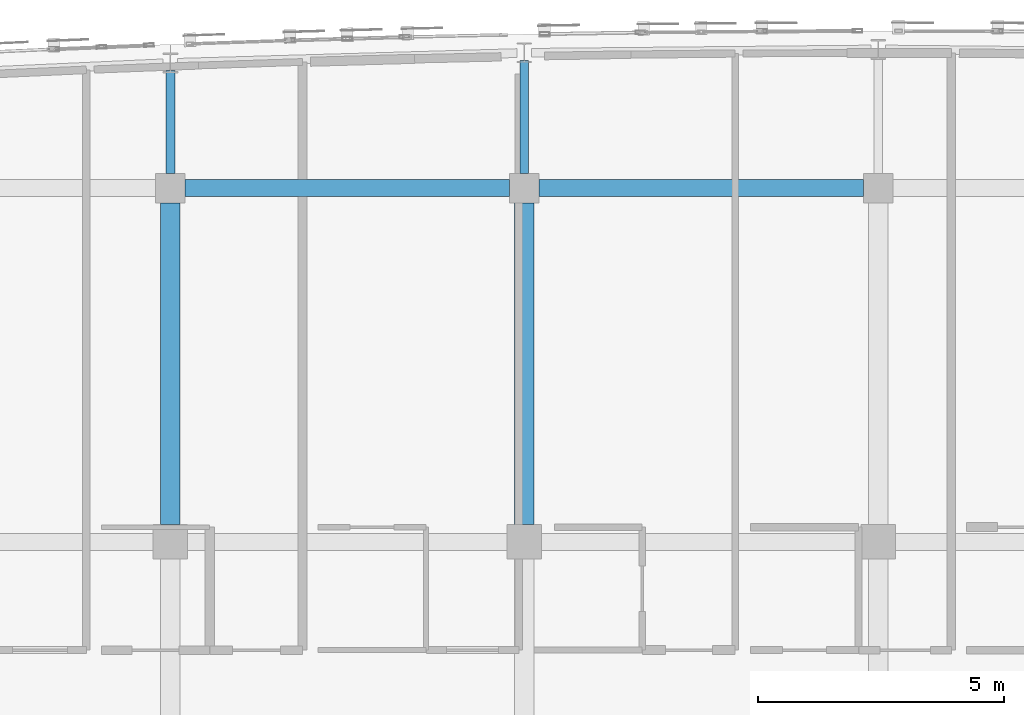
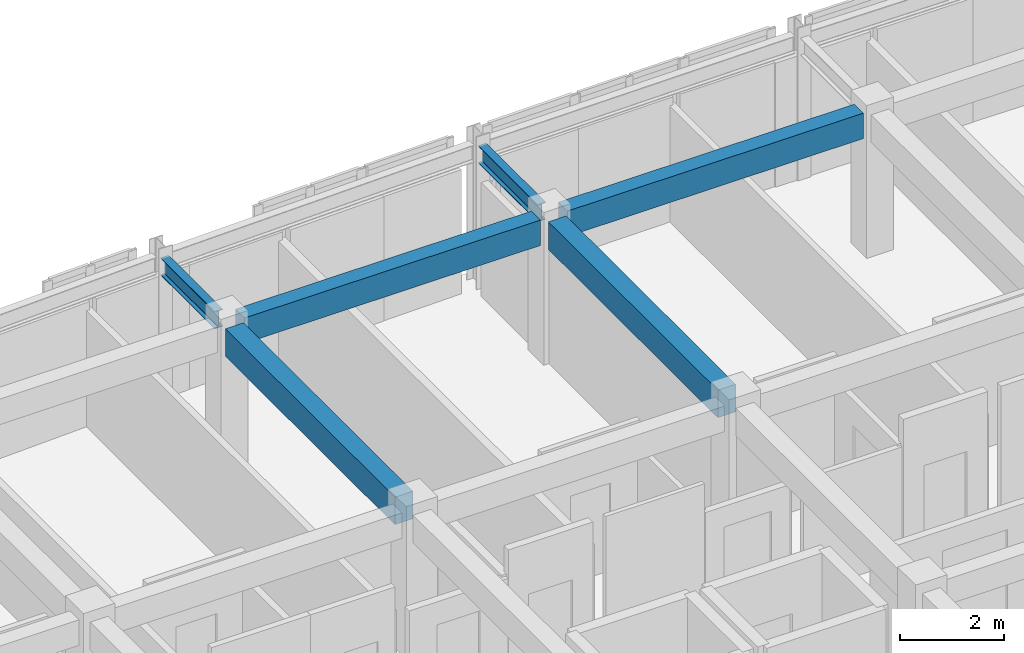
# One storey, part 14 of 48: 6 beams.
"""IFC4 building model written with IfcOpenShell, lengths in metres."""

from ifc_helpers import new_model, si_unit, direction, frame, origin, origin_2d, place, context, subcontext, project, spatial, rectangle, i_section, extrude, material, material_profile, profile_set, type_object, element, save


model = new_model("IFC4")

# Units and contexts
model_context = context("Model", 3, precision=1e-05, world=origin(), true_north=direction((0.0, 1.0)))
body_context = subcontext(model_context, "Body", "Model", "MODEL_VIEW")
ifc_project = project(units=[si_unit("LENGTHUNIT", "METRE"), si_unit("AREAUNIT", "SQUARE_METRE"), si_unit("VOLUMEUNIT", "CUBIC_METRE"), si_unit("PLANEANGLEUNIT", "RADIAN"), si_unit("MASSUNIT", "GRAM", prefix="KILO")], contexts=[model_context])

# Site, building, storey
site_placement = place(None, origin())
site = spatial("IfcSite", under=ifc_project, at=site_placement, CompositionType="ELEMENT")
building_placement = place(site_placement, origin())
building = spatial("IfcBuilding", under=site, at=building_placement, Name="Carrowvane Square Congress Hotel", CompositionType="ELEMENT")
storey_placement = place(building_placement, frame((0.0, 0.0, 26.39990234375)))
storey = spatial("IfcBuildingStorey", under=building, at=storey_placement, Name="L06", CompositionType="ELEMENT", Elevation=26.39990234375)

# Beams
ifc_material_1 = material(Name="Concrete C35/45", Category="concrete")
ifc_material_profile_1 = material_profile(ifc_material_1, rectangle(XDim=0.35009765625, YDim=0.60009765625, at=origin_2d()), Name="RC 350x600")
ifc_profile_set_1 = profile_set([ifc_material_profile_1], Name="Concrete C35/45")
beam_type_1 = type_object("IfcBeamType", Name="BM-RC-350x600", PredefinedType="BEAM", material=ifc_profile_set_1)
beam_1_placement = place(storey_placement, frame((83.89990234375, 113.39990234375, 3.050048828125), z_axis=(1.0, 0.0, 0.0), x_axis=(0.0, 1.0, 0.0)))
element("IfcBeam", 1, at=beam_1_placement, inside=storey, type_object=beam_type_1, Name="L07 girder R/11-12", PredefinedType="BEAM", context=body_context, shape_type="SweptSolid", body=[
    extrude(rectangle(XDim=0.35009765625, YDim=0.60009765625, at=origin_2d()), origin(), (0.0, 0.0, 1.0), 6.60009765625),
])
beam_2_placement = place(storey_placement, frame((91.10009765625, 113.39990234375, 3.050048828125), z_axis=(1.0, 0.0, 0.0), x_axis=(0.0, 1.0, 0.0)))
element("IfcBeam", 2, at=beam_2_placement, inside=storey, type_object=beam_type_1, Name="L07 girder R/12-13", PredefinedType="BEAM", context=body_context, shape_type="SweptSolid", body=[
    extrude(rectangle(XDim=0.35009765625, YDim=0.60009765625, at=origin_2d()), origin(), (0.0, 0.0, 1.0), 6.599853515625),
])
ifc_material_2 = material(Name="Concrete C35/45", Category="concrete")
ifc_material_profile_2 = material_profile(ifc_material_2, rectangle(XDim=0.39990234375, YDim=0.64990234375, at=origin_2d()), Name="RC 400x650")
ifc_profile_set_2 = profile_set([ifc_material_profile_2], Name="Concrete C35/45")
beam_type_2 = type_object("IfcBeamType", Name="BM-RC-400x650", PredefinedType="BEAM", material=ifc_profile_set_2)
for number, where, z_axis, x_axis, name in (
    (3, (83.60009765625, 106.550048828125, 3.025146484375), (0.0, 1.0, 0.0), (-1.0, 0.0, 0.0), "L07 girder 11/Q-R"),
    (4, (90.800048828125, 106.550048828125, 3.025146484375), (0.0, 1.0, 0.0), (-1.0, 0.0, 0.0), "L07 girder 12/Q-R"),
):
    element("IfcBeam", number, at=place(storey_placement, frame(where, z_axis=z_axis, x_axis=x_axis)), inside=storey, type_object=beam_type_2, Name=name, PredefinedType="BEAM", context=body_context, shape_type="SweptSolid", body=[
        extrude(rectangle(XDim=0.39990234375, YDim=0.64990234375, at=origin_2d()), origin(), (0.0, 0.0, 1.0), 6.550048828125),
    ])
ifc_material_3 = material(Name="Steel S355", Category="steel")
ifc_material_profile_3 = material_profile(ifc_material_3, i_section(OverallWidth=0.1787109375, OverallDepth=0.409423828125, WebThickness=0.0087890625, FlangeThickness=0.014404296875, FilletRadius=0.01025390625, at=origin_2d()), Name="UKB 406x178x67")
ifc_profile_set_3 = profile_set([ifc_material_profile_3], Name="Steel S355")
beam_type_3 = type_object("IfcBeamType", Name="BM-ST-UKB406", PredefinedType="BEAM", material=ifc_profile_set_3)
beam_3_placement = place(storey_placement, frame((83.60009765625, 113.699951171875, 3.1455078125), z_axis=(0.0, 1.0, 0.0), x_axis=(-1.0, 0.0, 0.0)))
element("IfcBeam", 5, at=beam_3_placement, inside=storey, type_object=beam_type_3, Name="L07 radial north beam 11", PredefinedType="BEAM", context=body_context, shape_type="SweptSolid", body=[
    extrude(i_section(OverallWidth=0.1787109375, OverallDepth=0.409423828125, WebThickness=0.0087890625, FlangeThickness=0.014404296875, FilletRadius=0.01025390625, at=origin_2d()), origin(), (0.0, 0.0, 1.0), 2.093994140625),
])
beam_4_placement = place(storey_placement, frame((90.800048828125, 113.699951171875, 3.1455078125), z_axis=(0.0, 1.0, 0.0), x_axis=(-1.0, 0.0, 0.0)))
element("IfcBeam", 6, at=beam_4_placement, inside=storey, type_object=beam_type_3, Name="L07 radial north beam 12", PredefinedType="BEAM", context=body_context, shape_type="SweptSolid", body=[
    extrude(i_section(OverallWidth=0.1787109375, OverallDepth=0.409423828125, WebThickness=0.0087890625, FlangeThickness=0.014404296875, FilletRadius=0.01025390625, at=origin_2d()), origin(), (0.0, 0.0, 1.0), 2.2998046875),
])

save(model, "model.ifc")
